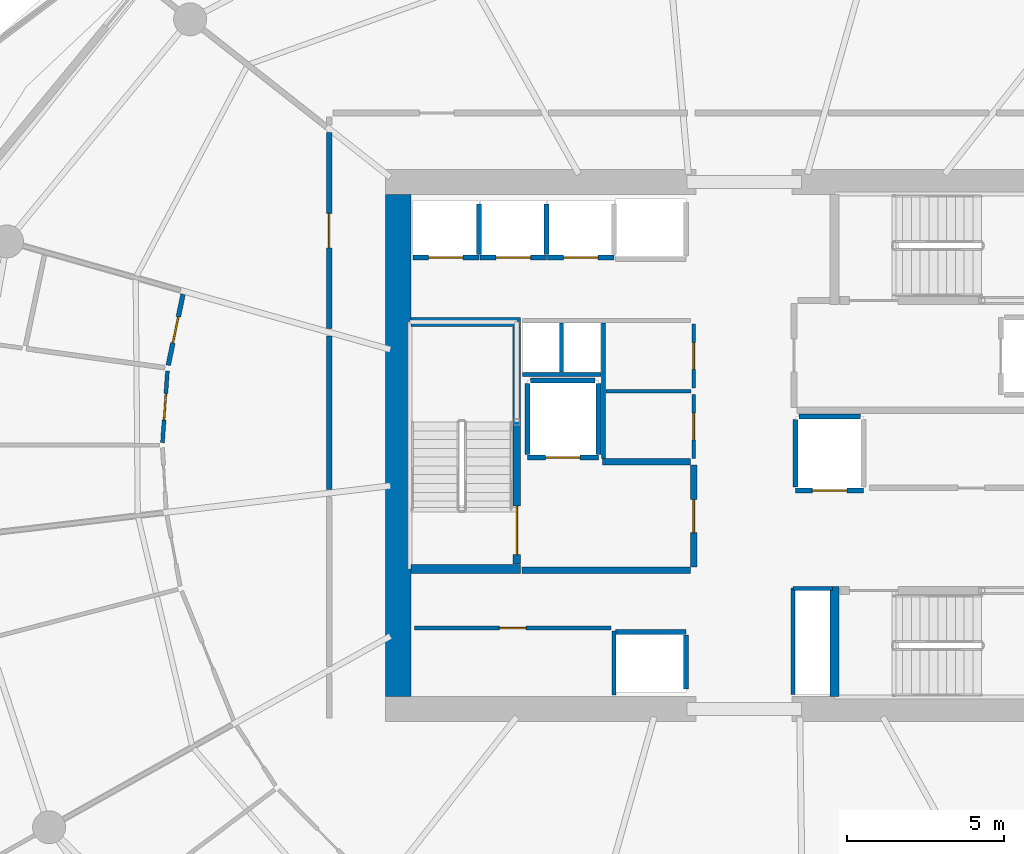
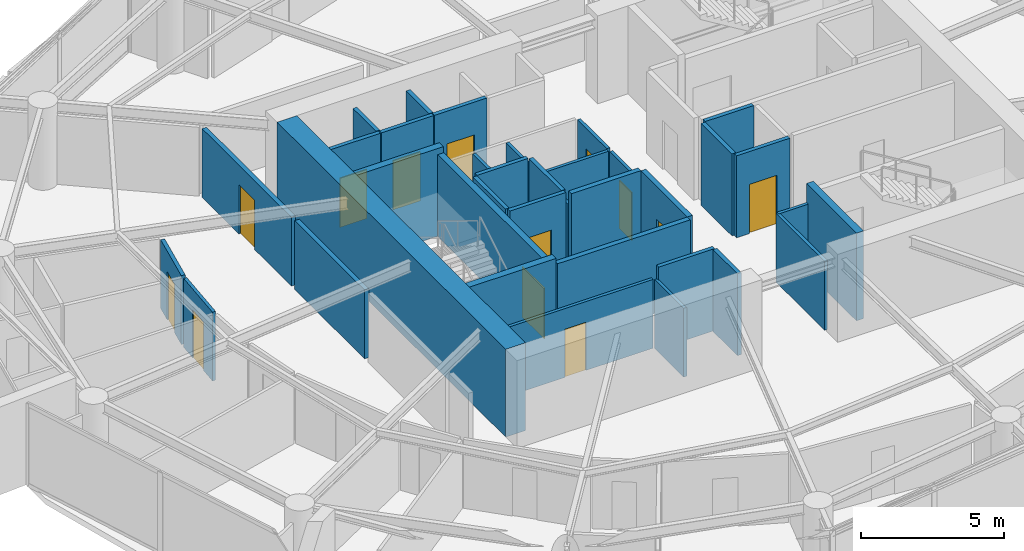
# One storey, part 12 of 20: 36 walls, 13 doors, 13 openings.
"""IFC4 building model written with IfcOpenShell, lengths in metres."""

from ifc_helpers import new_model, si_unit, direction, frame, frame_2d, origin, place, context, subcontext, project, spatial, rectangle, extrude, material, layer, layer_set, type_object, element, fill, save


model = new_model("IFC4")

# Units and contexts
model_context = context("Model", 3, precision=1e-05, world=origin(), true_north=direction((0.0, 1.0)))
body_context = subcontext(model_context, "Body", "Model", "MODEL_VIEW")
ifc_project = project(units=[si_unit("LENGTHUNIT", "METRE"), si_unit("AREAUNIT", "SQUARE_METRE"), si_unit("VOLUMEUNIT", "CUBIC_METRE"), si_unit("PLANEANGLEUNIT", "RADIAN"), si_unit("MASSUNIT", "GRAM", prefix="KILO")], contexts=[model_context])

# Site, building, storey
site_placement = place(None, origin())
site = spatial("IfcSite", under=ifc_project, at=site_placement, CompositionType="ELEMENT")
building_placement = place(site_placement, origin())
building = spatial("IfcBuilding", under=site, at=building_placement, Name="Kazma Halo Residences", CompositionType="ELEMENT")
storey_placement = place(building_placement, frame((0.0, 0.0, 131.550048828125)))
storey = spatial("IfcBuildingStorey", under=building, at=storey_placement, Name="L32", CompositionType="ELEMENT", Elevation=131.550048828125)

# Walls
ifc_material_1 = material(Name="Concrete C80/95", Category="concrete")
ifc_layer_1 = layer(ifc_material_1, 0.800048828125)
ifc_layer_set_1 = layer_set([ifc_layer_1], Name="Concrete C80/95")
wall_type_1 = type_object("IfcWallType", Name="WL-CORE-800", PredefinedType="SHEAR", material=ifc_layer_set_1)
wall_1_placement = place(storey_placement, frame((37.39990234375, 34.0, 0.0), z_axis=(0.0, 0.0, 1.0), x_axis=(0.0, 1.0, 0.0)))
element("IfcWall", 1, at=wall_1_placement, inside=storey, type_object=wall_type_1, Name="L32 central core shear wall W", PredefinedType="SHEAR", context=body_context, shape_type="SweptSolid", body=[
    extrude(rectangle(XDim=16.0, YDim=0.800048828125, at=frame_2d((8.0, 0.0))), origin(), (0.0, 0.0, 1.0), 3.75),
])
ifc_material_2 = material(Name="Concrete C60/75", Category="concrete")
ifc_layer_2 = layer(ifc_material_2, 0.280029296875)
ifc_layer_set_2 = layer_set([ifc_layer_2], Name="Concrete C60/75")
wall_type_2 = type_object("IfcWallType", Name="WL-CORE-ST-280", PredefinedType="SHEAR", material=ifc_layer_set_2)
for number, where, z_axis, x_axis, name in (
    (2, (37.800048828125, 38.06005859375, 0.0), (0.0, 0.0, 1.0), (1.0, 0.0, 0.0), "L32 stairwell bearing wall ST01-S"),
    (3, (37.800048828125, 45.93994140625, 0.0), (0.0, 0.0, 1.0), (1.0, 0.0, 0.0), "L32 stairwell bearing wall ST01-N"),
    (4, (51.31005859375, 34.0, 0.0), (0.0, 0.0, 1.0), (0.0, 1.0, 0.0), "L32 stairwell bearing wall ST03-W"),
):
    element("IfcWall", number, at=place(storey_placement, frame(where, z_axis=z_axis, x_axis=x_axis)), inside=storey, type_object=wall_type_2, Name=name, PredefinedType="SHEAR", context=body_context, shape_type="SweptSolid", body=[
        extrude(rectangle(XDim=3.5, YDim=0.280029296875, at=frame_2d((1.75, 0.0))), origin(), (0.0, 0.0, 1.0), 3.75),
    ])

# Wall, opening, door
ifc_material_3 = material(Name="Acoustic Twin-Stud Gypsum")
ifc_layer_3 = layer(ifc_material_3, 0.179931640625)
ifc_layer_set_3 = layer_set([ifc_layer_3], Name="Acoustic Twin-Stud Gypsum")
wall_type_3 = type_object("IfcWallType", Name="WL-DEM-180", PredefinedType="PARTITIONING", material=ifc_layer_set_3)
wall_2_placement = place(storey_placement, frame((35.199951171875, 51.970703125, 0.0), z_axis=(0.0, 0.0, 1.0), x_axis=(0.0, -1.0, 0.0)))
wall_2 = element("IfcWall", 5, at=wall_2_placement, inside=storey, type_object=wall_type_3, Name="L32 Apartment 1 entrance corridor wall", PredefinedType="PARTITIONING", context=body_context, shape_type="SweptSolid", body=[
    extrude(rectangle(XDim=6.24072265625, YDim=0.179931640625, at=frame_2d((3.120361328125, 0.0))), origin(), (0.0, 0.0, 1.0), 2.93994140625),
])
opening_1_placement = place(wall_2_placement, frame((2.5703125, 0.0, 0.0)))
opening_1 = element("IfcOpeningElement", 6, at=opening_1_placement, cuts=wall_2, Name="Opening DA-1100", PredefinedType="OPENING", context=body_context, shape_type="SweptSolid", body=[
    extrude(rectangle(XDim=1.10009765625, YDim=2.10009765625, at=frame_2d((0.550048828125, 1.050048828125))), frame((0.0, 0.099853515625, 0.0), z_axis=(0.0, -1.0, 0.0), x_axis=(1.0, 0.0, 0.0)), (0.0, 0.0, 1.0), 0.199951171875),
])
ifc_material_4 = material(Name="Acoustic Walnut Fire Leaf")
door_type_1 = type_object("IfcDoorType", Name="DR-FD60-1100", OperationType="NOTDEFINED", PredefinedType="DOOR", material=ifc_material_4)
door_1_placement = place(opening_1_placement, origin())
door_1 = element("IfcDoor", 7, at=door_1_placement, inside=storey, type_object=door_type_1, Name="L32 Apartment 1 entrance fire door", OperationType="SINGLE_SWING_RIGHT", OverallHeight=2.10009765625, OverallWidth=1.10009765625, PredefinedType="DOOR", context=body_context, shape_type="SweptSolid", body=[
    extrude(rectangle(XDim=1.10009765625, YDim=2.10009765625, at=frame_2d((0.550048828125, 1.050048828125))), frame((0.0, 0.02490234375, 0.0), z_axis=(0.0, -1.0, 0.0), x_axis=(1.0, 0.0, 0.0)), (0.0, 0.0, 1.0), 0.050048828125),
])
fill(opening_1, door_1)

# Wall
wall_3_placement = place(storey_placement, frame((35.199951171875, 45.489990234375, 0.0), z_axis=(0.0, 0.0, 1.0), x_axis=(0.0, -1.0, 0.0)))
element("IfcWall", 8, at=wall_3_placement, inside=storey, type_object=wall_type_3, Name="L32 Apartment 1 inner wall 6", PredefinedType="PARTITIONING", context=body_context, shape_type="SweptSolid", body=[
    extrude(rectangle(XDim=4.885009765625, YDim=0.179931640625, at=frame_2d((2.4423828125, 0.0))), origin(), (0.0, 0.0, 1.0), 2.93994140625),
])

# Wall, opening, door
ifc_material_5 = material(Name="Fire-Rated Blockwork Masonry", Category="masonry")
ifc_layer_4 = layer(ifc_material_5, 0.199951171875)
ifc_layer_set_4 = layer_set([ifc_layer_4], Name="Fire-Rated Blockwork Masonry")
wall_type_4 = type_object("IfcWallType", Name="WL-FLB-200", PredefinedType="PARTITIONING", material=ifc_layer_set_4)
wall_4_placement = place(storey_placement, frame((39.97509765625, 47.9951171875, 0.0), z_axis=(0.0, 0.0, 1.0), x_axis=(-1.0, 0.0, 0.0)))
wall_4 = element("IfcWall", 9, at=wall_4_placement, inside=storey, type_object=wall_type_4, Name="L32 lift shaft PM-01 front wall", PredefinedType="PARTITIONING", context=body_context, shape_type="SweptSolid", body=[
    extrude(rectangle(XDim=2.110107421875, YDim=0.159912109375, at=frame_2d((1.05517578125, 0.0))), origin(), (0.0, 0.0, 1.0), 3.5),
])
opening_2_placement = place(wall_4_placement, frame((0.5048828125, 0.0, 0.0)))
opening_2 = element("IfcOpeningElement", 10, at=opening_2_placement, cuts=wall_4, Name="Opening LD-PM-01", PredefinedType="OPENING", context=body_context, shape_type="SweptSolid", body=[
    extrude(rectangle(XDim=1.10009765625, YDim=2.10009765625, at=frame_2d((0.550048828125, 1.050048828125))), frame((0.0, 0.08984375, 0.0), z_axis=(0.0, -1.0, 0.0), x_axis=(1.0, 0.0, 0.0)), (0.0, 0.0, 1.0), 0.179931640625),
])
ifc_material_6 = material(Name="Stainless Steel Fire-Rated", Category="steel")
door_type_2 = type_object("IfcDoorType", Name="DR-LIFT-SLD-1100", OperationType="DOUBLE_DOOR_SLIDING", PredefinedType="DOOR", material=ifc_material_6)
door_2_placement = place(opening_2_placement, origin())
door_2 = element("IfcDoor", 11, at=door_2_placement, inside=storey, type_object=door_type_2, Name="L32 lift PM-01 sliding landing door", OperationType="DOUBLE_DOOR_SLIDING", OverallHeight=2.10009765625, OverallWidth=1.10009765625, PredefinedType="DOOR", context=body_context, shape_type="SweptSolid", body=[
    extrude(rectangle(XDim=1.10009765625, YDim=2.10009765625, at=frame_2d((0.550048828125, 1.050048828125))), frame((0.0, 0.02490234375, 0.0), z_axis=(0.0, -1.0, 0.0), x_axis=(1.0, 0.0, 0.0)), (0.0, 0.0, 1.0), 0.050048828125),
])
fill(opening_2, door_2)

# Wall
wall_5_placement = place(storey_placement, frame((39.97509765625, 48.094970703125, 0.0), z_axis=(0.0, 0.0, 1.0), x_axis=(0.0, 1.0, 0.0)))
element("IfcWall", 12, at=wall_5_placement, inside=storey, type_object=wall_type_4, Name="L32 lift shaft PM-01 side wall E", PredefinedType="PARTITIONING", context=body_context, shape_type="SweptSolid", body=[
    extrude(rectangle(XDim=1.610107421875, YDim=0.159912109375, at=frame_2d((0.80517578125, 0.0))), origin(), (0.0, 0.0, 1.0), 3.5),
])

# Wall, opening, door
wall_6_placement = place(storey_placement, frame((42.125, 47.9951171875, 0.0), z_axis=(0.0, 0.0, 1.0), x_axis=(-1.0, 0.0, 0.0)))
wall_6 = element("IfcWall", 13, at=wall_6_placement, inside=storey, type_object=wall_type_4, Name="L32 lift shaft PM-02 front wall", PredefinedType="PARTITIONING", context=body_context, shape_type="SweptSolid", body=[
    extrude(rectangle(XDim=2.110107421875, YDim=0.159912109375, at=frame_2d((1.05517578125, 0.0))), origin(), (0.0, 0.0, 1.0), 3.5),
])
opening_3_placement = place(wall_6_placement, frame((0.5048828125, 0.0, 0.0)))
opening_3 = element("IfcOpeningElement", 14, at=opening_3_placement, cuts=wall_6, Name="Opening LD-PM-02", PredefinedType="OPENING", context=body_context, shape_type="SweptSolid", body=[
    extrude(rectangle(XDim=1.10009765625, YDim=2.10009765625, at=frame_2d((0.550048828125, 1.050048828125))), frame((0.0, 0.08984375, 0.0), z_axis=(0.0, -1.0, 0.0), x_axis=(1.0, 0.0, 0.0)), (0.0, 0.0, 1.0), 0.179931640625),
])
door_3_placement = place(opening_3_placement, origin())
door_3 = element("IfcDoor", 15, at=door_3_placement, inside=storey, type_object=door_type_2, Name="L32 lift PM-02 sliding landing door", OperationType="DOUBLE_DOOR_SLIDING", OverallHeight=2.10009765625, OverallWidth=1.10009765625, PredefinedType="DOOR", context=body_context, shape_type="SweptSolid", body=[
    extrude(rectangle(XDim=1.10009765625, YDim=2.10009765625, at=frame_2d((0.550048828125, 1.050048828125))), frame((0.0, 0.02490234375, 0.0), z_axis=(0.0, -1.0, 0.0), x_axis=(1.0, 0.0, 0.0)), (0.0, 0.0, 1.0), 0.050048828125),
])
fill(opening_3, door_3)

# Wall
wall_7_placement = place(storey_placement, frame((42.125, 48.094970703125, 0.0), z_axis=(0.0, 0.0, 1.0), x_axis=(0.0, 1.0, 0.0)))
element("IfcWall", 16, at=wall_7_placement, inside=storey, type_object=wall_type_4, Name="L32 lift shaft PM-02 side wall E", PredefinedType="PARTITIONING", context=body_context, shape_type="SweptSolid", body=[
    extrude(rectangle(XDim=1.610107421875, YDim=0.159912109375, at=frame_2d((0.80517578125, 0.0))), origin(), (0.0, 0.0, 1.0), 3.5),
])

# Wall, opening, door
wall_8_placement = place(storey_placement, frame((44.27490234375, 47.9951171875, 0.0), z_axis=(0.0, 0.0, 1.0), x_axis=(-1.0, 0.0, 0.0)))
wall_8 = element("IfcWall", 17, at=wall_8_placement, inside=storey, type_object=wall_type_4, Name="L32 lift shaft PM-03 front wall", PredefinedType="PARTITIONING", context=body_context, shape_type="SweptSolid", body=[
    extrude(rectangle(XDim=2.10986328125, YDim=0.159912109375, at=frame_2d((1.054931640625, 0.0))), origin(), (0.0, 0.0, 1.0), 3.5),
])
opening_4_placement = place(wall_8_placement, frame((0.5048828125, 0.0, 0.0)))
opening_4 = element("IfcOpeningElement", 18, at=opening_4_placement, cuts=wall_8, Name="Opening LD-PM-03", PredefinedType="OPENING", context=body_context, shape_type="SweptSolid", body=[
    extrude(rectangle(XDim=1.10009765625, YDim=2.10009765625, at=frame_2d((0.550048828125, 1.050048828125))), frame((0.0, 0.08984375, 0.0), z_axis=(0.0, -1.0, 0.0), x_axis=(1.0, 0.0, 0.0)), (0.0, 0.0, 1.0), 0.179931640625),
])
door_4_placement = place(opening_4_placement, origin())
door_4 = element("IfcDoor", 19, at=door_4_placement, inside=storey, type_object=door_type_2, Name="L32 lift PM-03 sliding landing door", OperationType="DOUBLE_DOOR_SLIDING", OverallHeight=2.10009765625, OverallWidth=1.10009765625, PredefinedType="DOOR", context=body_context, shape_type="SweptSolid", body=[
    extrude(rectangle(XDim=1.10009765625, YDim=2.10009765625, at=frame_2d((0.550048828125, 1.050048828125))), frame((0.0, 0.02490234375, 0.0), z_axis=(0.0, -1.0, 0.0), x_axis=(1.0, 0.0, 0.0)), (0.0, 0.0, 1.0), 0.050048828125),
])
fill(opening_4, door_4)

# Walls
wall_9_placement = place(storey_placement, frame((44.320068359375, 36.054931640625, 0.0), z_axis=(0.0, 0.0, 1.0), x_axis=(1.0, 0.0, 0.0)))
element("IfcWall", 20, at=wall_9_placement, inside=storey, type_object=wall_type_4, Name="L32 lift shaft PX-02 front wall", PredefinedType="PARTITIONING", context=body_context, shape_type="SweptSolid", body=[
    extrude(rectangle(XDim=2.260009765625, YDim=0.159912109375, at=frame_2d((1.1298828125, 0.0))), origin(), (0.0, 0.0, 1.0), 3.5),
])
wall_10_placement = place(storey_placement, frame((46.580078125, 34.2451171875, 0.0), z_axis=(0.0, 0.0, 1.0), x_axis=(0.0, 1.0, 0.0)))
element("IfcWall", 21, at=wall_10_placement, inside=storey, type_object=wall_type_4, Name="L32 lift shaft PX-02 side wall E", PredefinedType="PARTITIONING", context=body_context, shape_type="SweptSolid", body=[
    extrude(rectangle(XDim=1.7099609375, YDim=0.159912109375, at=frame_2d((0.85498046875, 0.0))), origin(), (0.0, 0.0, 1.0), 3.5),
])

# Wall, opening, door
wall_11_placement = place(storey_placement, frame((43.780029296875, 41.6201171875, 0.0), z_axis=(0.0, 0.0, 1.0), x_axis=(-1.0, 0.0, 0.0)))
wall_11 = element("IfcWall", 22, at=wall_11_placement, inside=storey, type_object=wall_type_4, Name="L32 lift shaft FL-01 front wall", PredefinedType="PARTITIONING", context=body_context, shape_type="SweptSolid", body=[
    extrude(rectangle(XDim=2.260009765625, YDim=0.159912109375, at=frame_2d((1.1298828125, 0.0))), origin(), (0.0, 0.0, 1.0), 3.5),
])
opening_5_placement = place(wall_11_placement, frame((0.580078125, 0.0, 0.0)))
opening_5 = element("IfcOpeningElement", 23, at=opening_5_placement, cuts=wall_11, Name="Opening LD-FL-01", PredefinedType="OPENING", context=body_context, shape_type="SweptSolid", body=[
    extrude(rectangle(XDim=1.10009765625, YDim=2.10009765625, at=frame_2d((0.550048828125, 1.050048828125))), frame((0.0, 0.08984375, 0.0), z_axis=(0.0, -1.0, 0.0), x_axis=(1.0, 0.0, 0.0)), (0.0, 0.0, 1.0), 0.179931640625),
])
door_5_placement = place(opening_5_placement, origin())
door_5 = element("IfcDoor", 24, at=door_5_placement, inside=storey, type_object=door_type_2, Name="L32 lift FL-01 sliding landing door", OperationType="DOUBLE_DOOR_SLIDING", OverallHeight=2.10009765625, OverallWidth=1.10009765625, PredefinedType="DOOR", context=body_context, shape_type="SweptSolid", body=[
    extrude(rectangle(XDim=1.10009765625, YDim=2.10009765625, at=frame_2d((0.550048828125, 1.050048828125))), frame((0.0, 0.02490234375, 0.0), z_axis=(0.0, -1.0, 0.0), x_axis=(1.0, 0.0, 0.0)), (0.0, 0.0, 1.0), 0.050048828125),
])
fill(opening_5, door_5)

# Walls
for number, where, z_axis, x_axis, name in (
    (25, (43.780029296875, 41.719970703125, 0.0), (0.0, 0.0, 1.0), (0.0, 1.0, 0.0), "L32 lift shaft FL-01 side wall E"),
    (26, (41.52001953125, 41.719970703125, 0.0), (0.0, 0.0, 1.0), (0.0, 1.0, 0.0), "L32 lift shaft FL-01 side wall W"),
):
    element("IfcWall", number, at=place(storey_placement, frame(where, z_axis=z_axis, x_axis=x_axis)), inside=storey, type_object=wall_type_4, Name=name, PredefinedType="PARTITIONING", context=body_context, shape_type="SweptSolid", body=[
        extrude(rectangle(XDim=2.260009765625, YDim=0.159912109375, at=frame_2d((1.1298828125, 0.0))), origin(), (0.0, 0.0, 1.0), 3.5),
    ])
wall_12_placement = place(storey_placement, frame((41.6201171875, 44.080078125, 0.0), z_axis=(0.0, 0.0, 1.0), x_axis=(1.0, 0.0, 0.0)))
element("IfcWall", 27, at=wall_12_placement, inside=storey, type_object=wall_type_4, Name="L32 lift shaft FL-01 side wall N", PredefinedType="PARTITIONING", context=body_context, shape_type="SweptSolid", body=[
    extrude(rectangle(XDim=2.059814453125, YDim=0.159912109375, at=frame_2d((1.02978515625, 0.0))), origin(), (0.0, 0.0, 1.0), 3.5),
])

# Wall, opening, door
wall_13_placement = place(storey_placement, frame((52.22998046875, 40.570068359375, 0.0), z_axis=(0.0, 0.0, 1.0), x_axis=(-1.0, 0.0, 0.0)))
wall_13 = element("IfcWall", 28, at=wall_13_placement, inside=storey, type_object=wall_type_4, Name="L32 lift shaft SV-01 front wall", PredefinedType="PARTITIONING", context=body_context, shape_type="SweptSolid", body=[
    extrude(rectangle(XDim=2.159912109375, YDim=0.159912109375, at=frame_2d((1.080078125, 0.0))), origin(), (0.0, 0.0, 1.0), 3.5),
])
opening_6_placement = place(wall_13_placement, frame((0.530029296875, 0.0, 0.0)))
opening_6 = element("IfcOpeningElement", 29, at=opening_6_placement, cuts=wall_13, Name="Opening LD-SV-01", PredefinedType="OPENING", context=body_context, shape_type="SweptSolid", body=[
    extrude(rectangle(XDim=1.10009765625, YDim=2.10009765625, at=frame_2d((0.550048828125, 1.050048828125))), frame((0.0, 0.08984375, 0.0), z_axis=(0.0, -1.0, 0.0), x_axis=(1.0, 0.0, 0.0)), (0.0, 0.0, 1.0), 0.179931640625),
])
door_6_placement = place(opening_6_placement, origin())
door_6 = element("IfcDoor", 30, at=door_6_placement, inside=storey, type_object=door_type_2, Name="L32 lift SV-01 sliding landing door", OperationType="DOUBLE_DOOR_SLIDING", OverallHeight=2.10009765625, OverallWidth=1.10009765625, PredefinedType="DOOR", context=body_context, shape_type="SweptSolid", body=[
    extrude(rectangle(XDim=1.10009765625, YDim=2.10009765625, at=frame_2d((0.550048828125, 1.050048828125))), frame((0.0, 0.02490234375, 0.0), z_axis=(0.0, -1.0, 0.0), x_axis=(1.0, 0.0, 0.0)), (0.0, 0.0, 1.0), 0.050048828125),
])
fill(opening_6, door_6)

# Walls
wall_14_placement = place(storey_placement, frame((50.070068359375, 40.669921875, 0.0), z_axis=(0.0, 0.0, 1.0), x_axis=(0.0, 1.0, 0.0)))
element("IfcWall", 31, at=wall_14_placement, inside=storey, type_object=wall_type_4, Name="L32 lift shaft SV-01 side wall W", PredefinedType="PARTITIONING", context=body_context, shape_type="SweptSolid", body=[
    extrude(rectangle(XDim=2.16015625, YDim=0.159912109375, at=frame_2d((1.080078125, 0.0))), origin(), (0.0, 0.0, 1.0), 3.5),
])
wall_15_placement = place(storey_placement, frame((50.169921875, 42.929931640625, 0.0), z_axis=(0.0, 0.0, 1.0), x_axis=(1.0, 0.0, 0.0)))
element("IfcWall", 32, at=wall_15_placement, inside=storey, type_object=wall_type_4, Name="L32 lift shaft SV-01 side wall N", PredefinedType="PARTITIONING", context=body_context, shape_type="SweptSolid", body=[
    extrude(rectangle(XDim=1.9599609375, YDim=0.159912109375, at=frame_2d((0.97998046875, 0.0))), origin(), (0.0, 0.0, 1.0), 3.5),
])
wall_16_placement = place(storey_placement, frame((41.35009765625, 38.02001953125, 0.0), z_axis=(0.0, 0.0, 1.0), x_axis=(1.0, 0.0, 0.0)))
element("IfcWall", 33, at=wall_16_placement, inside=storey, type_object=wall_type_4, Name="L32 west firefighting lobby south smoke wall", PredefinedType="PARTITIONING", context=body_context, shape_type="SweptSolid", body=[
    extrude(rectangle(XDim=5.369873046875, YDim=0.199951171875, at=frame_2d((2.68505859375, 0.0))), origin(), (0.0, 0.0, 1.0), 3.5),
])
wall_17_placement = place(storey_placement, frame((43.919921875, 41.47998046875, 0.0), z_axis=(0.0, 0.0, 1.0), x_axis=(1.0, 0.0, 0.0)))
element("IfcWall", 34, at=wall_17_placement, inside=storey, type_object=wall_type_4, Name="L32 west firefighting lobby north smoke wall", PredefinedType="PARTITIONING", context=body_context, shape_type="SweptSolid", body=[
    extrude(rectangle(XDim=2.800048828125, YDim=0.199951171875, at=frame_2d((1.39990234375, 0.0))), origin(), (0.0, 0.0, 1.0), 3.5),
])

# Wall, opening, door
wall_18_placement = place(storey_placement, frame((46.820068359375, 38.1201171875, 0.0), z_axis=(0.0, 0.0, 1.0), x_axis=(0.0, 1.0, 0.0)))
wall_18 = element("IfcWall", 35, at=wall_18_placement, inside=storey, type_object=wall_type_4, Name="L32 west firefighting lobby smoke wall", PredefinedType="PARTITIONING", context=body_context, shape_type="SweptSolid", body=[
    extrude(rectangle(XDim=3.259765625, YDim=0.199951171875, at=frame_2d((1.6298828125, 0.0))), origin(), (0.0, 0.0, 1.0), 3.5),
])
opening_7_placement = place(wall_18_placement, frame((1.10498046875, 0.0, 0.0)))
opening_7 = element("IfcOpeningElement", 36, at=opening_7_placement, cuts=wall_18, Name="Opening D-FLW", PredefinedType="OPENING", context=body_context, shape_type="SweptSolid", body=[
    extrude(rectangle(XDim=1.050048828125, YDim=2.10009765625, at=frame_2d((0.52490234375, 1.050048828125))), frame((0.0, 0.10986328125, 0.0), z_axis=(0.0, -1.0, 0.0), x_axis=(1.0, 0.0, 0.0)), (0.0, 0.0, 1.0), 0.219970703125),
])
ifc_material_7 = material(Name="Fire-Rated Steel Leaf", Category="steel")
door_type_3 = type_object("IfcDoorType", Name="DR-FD90-1050", OperationType="NOTDEFINED", PredefinedType="DOOR", material=ifc_material_7)
door_7_placement = place(opening_7_placement, origin())
door_7 = element("IfcDoor", 37, at=door_7_placement, inside=storey, type_object=door_type_3, Name="L32 west firefighting lobby smoke door", OperationType="SINGLE_SWING_LEFT", OverallHeight=2.10009765625, OverallWidth=1.050048828125, PredefinedType="DOOR", context=body_context, shape_type="SweptSolid", body=[
    extrude(rectangle(XDim=1.050048828125, YDim=2.10009765625, at=frame_2d((0.52490234375, 1.050048828125))), frame((0.0, 0.02490234375, 0.0), z_axis=(0.0, -1.0, 0.0), x_axis=(1.0, 0.0, 0.0)), (0.0, 0.0, 1.0), 0.050048828125),
])
fill(opening_7, door_7)

# Wall
ifc_material_8 = material(Name="Gypsum Plasterboard Partition")
ifc_layer_5 = layer(ifc_material_8, 0.125)
ifc_layer_set_5 = layer_set([ifc_layer_5], Name="Gypsum Plasterboard Partition")
wall_type_5 = type_object("IfcWallType", Name="WL-PART-125", PredefinedType="PARTITIONING", material=ifc_layer_set_5)
wall_19_placement = place(storey_placement, frame((44.280029296875, 34.050048828125, 0.0), z_axis=(0.0, 0.0, 1.0), x_axis=(0.0, 1.0, 0.0)))
element("IfcWall", 38, at=wall_19_placement, inside=storey, type_object=wall_type_5, Name="L32 reclaimed south east wall", PredefinedType="PARTITIONING", context=body_context, shape_type="SweptSolid", body=[
    extrude(rectangle(XDim=2.030029296875, YDim=0.125, at=frame_2d((1.01513671875, 0.0))), origin(), (0.0, 0.0, 1.0), 2.93994140625),
])

# Wall, opening, door
wall_20_placement = place(storey_placement, frame((37.919921875, 36.179931640625, 0.0), z_axis=(0.0, 0.0, 1.0), x_axis=(1.0, 0.0, 0.0)))
wall_20 = element("IfcWall", 39, at=wall_20_placement, inside=storey, type_object=wall_type_5, Name="L32 reclaimed south front wall", PredefinedType="PARTITIONING", context=body_context, shape_type="SweptSolid", body=[
    extrude(rectangle(XDim=6.260009765625, YDim=0.125, at=frame_2d((3.1298828125, 0.0))), origin(), (0.0, 0.0, 1.0), 2.93994140625),
])
opening_8_placement = place(wall_20_placement, frame((2.705078125, 0.0, 0.0)))
opening_8 = element("IfcOpeningElement", 40, at=opening_8_placement, cuts=wall_20, Name="Opening DS-850", PredefinedType="OPENING", context=body_context, shape_type="SweptSolid", body=[
    extrude(rectangle(XDim=0.85009765625, YDim=2.06005859375, at=frame_2d((0.425048828125, 1.030029296875))), frame((0.0, 0.072509765625, 0.0), z_axis=(0.0, -1.0, 0.0), x_axis=(1.0, 0.0, 0.0)), (0.0, 0.0, 1.0), 0.14501953125),
])
ifc_material_9 = material(Name="Painted Steel Access Leaf", Category="steel")
door_type_4 = type_object("IfcDoorType", Name="DR-SVC-850", OperationType="NOTDEFINED", PredefinedType="DOOR", material=ifc_material_9)
door_8_placement = place(opening_8_placement, origin())
door_8 = element("IfcDoor", 41, at=door_8_placement, inside=storey, type_object=door_type_4, Name="L32 reclaimed south service door", OperationType="SINGLE_SWING_LEFT", OverallHeight=2.06005859375, OverallWidth=0.85009765625, PredefinedType="DOOR", context=body_context, shape_type="SweptSolid", body=[
    extrude(rectangle(XDim=0.85009765625, YDim=2.06005859375, at=frame_2d((0.425048828125, 1.030029296875))), frame((0.0, 0.02490234375, 0.0), z_axis=(0.0, -1.0, 0.0), x_axis=(1.0, 0.0, 0.0)), (0.0, 0.0, 1.0), 0.050048828125),
])
fill(opening_8, door_8)

# Walls
wall_21_placement = place(storey_placement, frame((41.360107421875, 44.260009765625, 0.0), z_axis=(0.0, 0.0, 1.0), x_axis=(1.0, 0.0, 0.0)))
element("IfcWall", 42, at=wall_21_placement, inside=storey, type_object=wall_type_5, Name="L32 core riser south wall", PredefinedType="PARTITIONING", context=body_context, shape_type="SweptSolid", body=[
    extrude(rectangle(XDim=2.5, YDim=0.125, at=frame_2d((1.25, 0.0))), origin(), (0.0, 0.0, 1.0), 2.93994140625),
])
wall_22_placement = place(storey_placement, frame((42.60009765625, 44.35009765625, 0.0), z_axis=(0.0, 0.0, 1.0), x_axis=(0.0, 1.0, 0.0)))
element("IfcWall", 43, at=wall_22_placement, inside=storey, type_object=wall_type_5, Name="L32 core riser divider wall", PredefinedType="PARTITIONING", context=body_context, shape_type="SweptSolid", body=[
    extrude(rectangle(XDim=1.5498046875, YDim=0.125, at=frame_2d((0.77490234375, 0.0))), origin(), (0.0, 0.0, 1.0), 2.93994140625),
])
wall_23_placement = place(storey_placement, frame((49.97998046875, 34.06005859375, 0.0), z_axis=(0.0, 0.0, 1.0), x_axis=(0.0, 1.0, 0.0)))
element("IfcWall", 44, at=wall_23_placement, inside=storey, type_object=wall_type_5, Name="L32 standpipe riser wall", PredefinedType="PARTITIONING", context=body_context, shape_type="SweptSolid", body=[
    extrude(rectangle(XDim=3.39990234375, YDim=0.125, at=frame_2d((1.699951171875, 0.0))), origin(), (0.0, 0.0, 1.0), 2.93994140625),
])
wall_24_placement = place(storey_placement, frame((49.97998046875, 37.43994140625, 0.0), z_axis=(0.0, 0.0, 1.0), x_axis=(1.0, 0.0, 0.0)))
element("IfcWall", 45, at=wall_24_placement, inside=storey, type_object=wall_type_5, Name="L32 standpipe riser north wall", PredefinedType="PARTITIONING", context=body_context, shape_type="SweptSolid", body=[
    extrude(rectangle(XDim=1.260009765625, YDim=0.125, at=frame_2d((0.6298828125, 0.0))), origin(), (0.0, 0.0, 1.0), 2.93994140625),
])
wall_25_placement = place(storey_placement, frame((43.949951171875, 41.580078125, 0.0), z_axis=(0.0, 0.0, 1.0), x_axis=(0.0, 1.0, 0.0)))
element("IfcWall", 46, at=wall_25_placement, inside=storey, type_object=wall_type_5, Name="L32 core service west wall", PredefinedType="PARTITIONING", context=body_context, shape_type="SweptSolid", body=[
    extrude(rectangle(XDim=4.31982421875, YDim=0.125, at=frame_2d((2.159912109375, 0.0))), origin(), (0.0, 0.0, 1.0), 2.93994140625),
])
wall_26_placement = place(storey_placement, frame((44.030029296875, 43.72998046875, 0.0), z_axis=(0.0, 0.0, 1.0), x_axis=(1.0, 0.0, 0.0)))
element("IfcWall", 47, at=wall_26_placement, inside=storey, type_object=wall_type_5, Name="L32 switch/IDF divider", PredefinedType="PARTITIONING", context=body_context, shape_type="SweptSolid", body=[
    extrude(rectangle(XDim=2.7099609375, YDim=0.125, at=frame_2d((1.35498046875, 0.0))), origin(), (0.0, 0.0, 1.0), 2.93994140625),
])

# Wall, opening, door
wall_27_placement = place(storey_placement, frame((46.820068359375, 41.580078125, 0.0), z_axis=(0.0, 0.0, 1.0), x_axis=(0.0, 1.0, 0.0)))
wall_27 = element("IfcWall", 48, at=wall_27_placement, inside=storey, type_object=wall_type_5, Name="L32 electrical switch room east wall", PredefinedType="PARTITIONING", context=body_context, shape_type="SweptSolid", body=[
    extrude(rectangle(XDim=2.0498046875, YDim=0.125, at=frame_2d((1.02490234375, 0.0))), origin(), (0.0, 0.0, 1.0), 2.93994140625),
])
opening_9_placement = place(wall_27_placement, frame((0.60009765625, 0.0, 0.0)))
opening_9 = element("IfcOpeningElement", 49, at=opening_9_placement, cuts=wall_27, Name="Opening DS-850", PredefinedType="OPENING", context=body_context, shape_type="SweptSolid", body=[
    extrude(rectangle(XDim=0.85009765625, YDim=2.06005859375, at=frame_2d((0.425048828125, 1.030029296875))), frame((0.0, 0.072509765625, 0.0), z_axis=(0.0, -1.0, 0.0), x_axis=(1.0, 0.0, 0.0)), (0.0, 0.0, 1.0), 0.14501953125),
])
door_9_placement = place(opening_9_placement, origin())
door_9 = element("IfcDoor", 50, at=door_9_placement, inside=storey, type_object=door_type_4, Name="L32 electrical switch room door", OperationType="SINGLE_SWING_LEFT", OverallHeight=2.06005859375, OverallWidth=0.85009765625, PredefinedType="DOOR", context=body_context, shape_type="SweptSolid", body=[
    extrude(rectangle(XDim=0.85009765625, YDim=2.06005859375, at=frame_2d((0.425048828125, 1.030029296875))), frame((0.0, 0.02490234375, 0.0), z_axis=(0.0, -1.0, 0.0), x_axis=(1.0, 0.0, 0.0)), (0.0, 0.0, 1.0), 0.050048828125),
])
fill(opening_9, door_9)

wall_28_placement = place(storey_placement, frame((46.820068359375, 43.830078125, 0.0), z_axis=(0.0, 0.0, 1.0), x_axis=(0.0, 1.0, 0.0)))
wall_28 = element("IfcWall", 51, at=wall_28_placement, inside=storey, type_object=wall_type_5, Name="L32 telecom IDF room east wall", PredefinedType="PARTITIONING", context=body_context, shape_type="SweptSolid", body=[
    extrude(rectangle(XDim=2.0498046875, YDim=0.125, at=frame_2d((1.02490234375, 0.0))), origin(), (0.0, 0.0, 1.0), 2.93994140625),
])
opening_10_placement = place(wall_28_placement, frame((0.60009765625, 0.0, 0.0)))
opening_10 = element("IfcOpeningElement", 52, at=opening_10_placement, cuts=wall_28, Name="Opening DS-850", PredefinedType="OPENING", context=body_context, shape_type="SweptSolid", body=[
    extrude(rectangle(XDim=0.85009765625, YDim=2.06005859375, at=frame_2d((0.425048828125, 1.030029296875))), frame((0.0, 0.072509765625, 0.0), z_axis=(0.0, -1.0, 0.0), x_axis=(1.0, 0.0, 0.0)), (0.0, 0.0, 1.0), 0.14501953125),
])
door_10_placement = place(opening_10_placement, origin())
door_10 = element("IfcDoor", 53, at=door_10_placement, inside=storey, type_object=door_type_4, Name="L32 telecom IDF room door", OperationType="SINGLE_SWING_RIGHT", OverallHeight=2.06005859375, OverallWidth=0.85009765625, PredefinedType="DOOR", context=body_context, shape_type="SweptSolid", body=[
    extrude(rectangle(XDim=0.85009765625, YDim=2.06005859375, at=frame_2d((0.425048828125, 1.030029296875))), frame((0.0, 0.02490234375, 0.0), z_axis=(0.0, -1.0, 0.0), x_axis=(1.0, 0.0, 0.0)), (0.0, 0.0, 1.0), 0.050048828125),
])
fill(opening_10, door_10)

wall_29_placement = place(storey_placement, frame((30.043701171875, 44.378662109375, 0.0), z_axis=(0.0, 0.0, 1.0), x_axis=(-0.068510010266, -0.997650429005, 0.0)))
wall_29 = element("IfcWall", 54, at=wall_29_placement, inside=storey, type_object=wall_type_5, Name="L32 Apartment 1 Gourmet Kitchen hall wall", PredefinedType="PARTITIONING", context=body_context, shape_type="SweptSolid", body=[
    extrude(rectangle(XDim=2.294921875, YDim=0.125, at=frame_2d((1.1474609375, 0.0))), origin(), (0.0, 0.0, 1.0), 2.93994140625),
])
opening_11_placement = place(wall_29_placement, frame((0.722412109375, 0.0, 0.0)))
opening_11 = element("IfcOpeningElement", 55, at=opening_11_placement, cuts=wall_29, Name="Opening DB-900", PredefinedType="OPENING", context=body_context, shape_type="SweptSolid", body=[
    extrude(rectangle(XDim=0.85009765625, YDim=2.06005859375, at=frame_2d((0.425048828125, 1.030029296875))), frame((0.0, 0.072509765625, 0.0), z_axis=(0.0, -1.0, 0.0), x_axis=(1.0, 0.0, 0.0)), (0.0, 0.0, 1.0), 0.14501953125),
])
ifc_material_10 = material(Name="Moisture-Sealed Timber Leaf", Category="wood")
door_type_5 = type_object("IfcDoorType", Name="DR-BTH-900", OperationType="NOTDEFINED", PredefinedType="DOOR", material=ifc_material_10)
door_11_placement = place(opening_11_placement, origin())
door_11 = element("IfcDoor", 56, at=door_11_placement, inside=storey, type_object=door_type_5, Name="L32 Apartment 1 Gourmet Kitchen door", OperationType="SINGLE_SWING_LEFT", OverallHeight=2.06005859375, OverallWidth=0.85009765625, PredefinedType="DOOR", context=body_context, shape_type="SweptSolid", body=[
    extrude(rectangle(XDim=0.85009765625, YDim=2.06005859375, at=frame_2d((0.425048828125, 1.030029296875))), frame((0.0, 0.02490234375, 0.0), z_axis=(0.0, -1.0, 0.0), x_axis=(1.0, 0.0, 0.0)), (0.0, 0.0, 1.0), 0.050048828125),
])
fill(opening_11, door_11)

ifc_material_11 = material(Name="Concrete C50/60", Category="concrete")
ifc_layer_6 = layer(ifc_material_11, 0.25)
ifc_layer_set_6 = layer_set([ifc_layer_6], Name="Concrete C50/60")
wall_type_6 = type_object("IfcWallType", Name="WL-SHF-250", PredefinedType="SOLIDWALL", material=ifc_layer_set_6)
wall_30_placement = place(storey_placement, frame((41.179931640625, 38.219970703125, 0.0), z_axis=(0.0, 0.0, 1.0), x_axis=(0.0, 1.0, 0.0)))
wall_30 = element("IfcWall", 57, at=wall_30_placement, inside=storey, type_object=wall_type_6, Name="L32 exit stair ST-01 enclosure wall", PredefinedType="SOLIDWALL", context=body_context, shape_type="SweptSolid", body=[
    extrude(rectangle(XDim=7.56005859375, YDim=0.25, at=frame_2d((3.780029296875, 0.0))), origin(), (0.0, 0.0, 1.0), 3.5),
])
opening_12_placement = place(wall_30_placement, frame((0.300048828125, 0.0, 0.0)))
opening_12 = element("IfcOpeningElement", 58, at=opening_12_placement, cuts=wall_30, Name="Opening D-ST1", PredefinedType="OPENING", context=body_context, shape_type="SweptSolid", body=[
    extrude(rectangle(XDim=1.550048828125, YDim=2.14990234375, at=frame_2d((0.77490234375, 1.074951171875))), frame((0.0, 0.135009765625, 0.0), z_axis=(0.0, -1.0, 0.0), x_axis=(1.0, 0.0, 0.0)), (0.0, 0.0, 1.0), 0.27001953125),
])
ifc_material_12 = material(Name="Fire-Rated Double Steel Leaf", Category="steel")
door_type_6 = type_object("IfcDoorType", Name="DR-FD90-1550", OperationType="NOTDEFINED", PredefinedType="DOOR", material=ifc_material_12)
door_12_placement = place(opening_12_placement, origin())
door_12 = element("IfcDoor", 59, at=door_12_placement, inside=storey, type_object=door_type_6, Name="L32 exit stair ST-01 fire door", OperationType="DOUBLE_DOOR_SINGLE_SWING", OverallHeight=2.14990234375, OverallWidth=1.550048828125, PredefinedType="DOOR", context=body_context, shape_type="SweptSolid", body=[
    extrude(rectangle(XDim=1.550048828125, YDim=2.14990234375, at=frame_2d((0.77490234375, 1.074951171875))), frame((0.0, 0.02490234375, 0.0), z_axis=(0.0, -1.0, 0.0), x_axis=(1.0, 0.0, 0.0)), (0.0, 0.0, 1.0), 0.050048828125),
])
fill(opening_12, door_12)

ifc_material_13 = material(Name="Moisture-Resistant Gypsum")
ifc_layer_7 = layer(ifc_material_13, 0.14990234375)
ifc_layer_set_7 = layer_set([ifc_layer_7], Name="Moisture-Resistant Gypsum")
wall_type_7 = type_object("IfcWallType", Name="WL-WET-150", PredefinedType="PARTITIONING", material=ifc_layer_set_7)
wall_31_placement = place(storey_placement, frame((30.541015625, 46.8203125, 0.0), z_axis=(0.0, 0.0, 1.0), x_axis=(-0.20437157278, -0.978893385533, 0.0)))
wall_31 = element("IfcWall", 60, at=wall_31_placement, inside=storey, type_object=wall_type_7, Name="L32 Apartment 1 Guest Bathroom hall wall", PredefinedType="PARTITIONING", context=body_context, shape_type="SweptSolid", body=[
    extrude(rectangle(XDim=2.312744140625, YDim=0.14990234375, at=frame_2d((1.15625, 0.0))), origin(), (0.0, 0.0, 1.0), 2.93994140625),
])
opening_13_placement = place(wall_31_placement, frame((0.731201171875, 0.0, 0.0)))
opening_13 = element("IfcOpeningElement", 61, at=opening_13_placement, cuts=wall_31, Name="Opening DB-900", PredefinedType="OPENING", context=body_context, shape_type="SweptSolid", body=[
    extrude(rectangle(XDim=0.85009765625, YDim=2.06005859375, at=frame_2d((0.425048828125, 1.030029296875))), frame((0.0, 0.0849609375, 0.0), z_axis=(0.0, -1.0, 0.0), x_axis=(1.0, 0.0, 0.0)), (0.0, 0.0, 1.0), 0.169921875),
])
door_13_placement = place(opening_13_placement, origin())
door_13 = element("IfcDoor", 62, at=door_13_placement, inside=storey, type_object=door_type_5, Name="L32 Apartment 1 Guest Bathroom door", OperationType="SINGLE_SWING_LEFT", OverallHeight=2.06005859375, OverallWidth=0.85009765625, PredefinedType="DOOR", context=body_context, shape_type="SweptSolid", body=[
    extrude(rectangle(XDim=0.85009765625, YDim=2.06005859375, at=frame_2d((0.425048828125, 1.030029296875))), frame((0.0, 0.02490234375, 0.0), z_axis=(0.0, -1.0, 0.0), x_axis=(1.0, 0.0, 0.0)), (0.0, 0.0, 1.0), 0.050048828125),
])
fill(opening_13, door_13)

save(model, "model.ifc")
